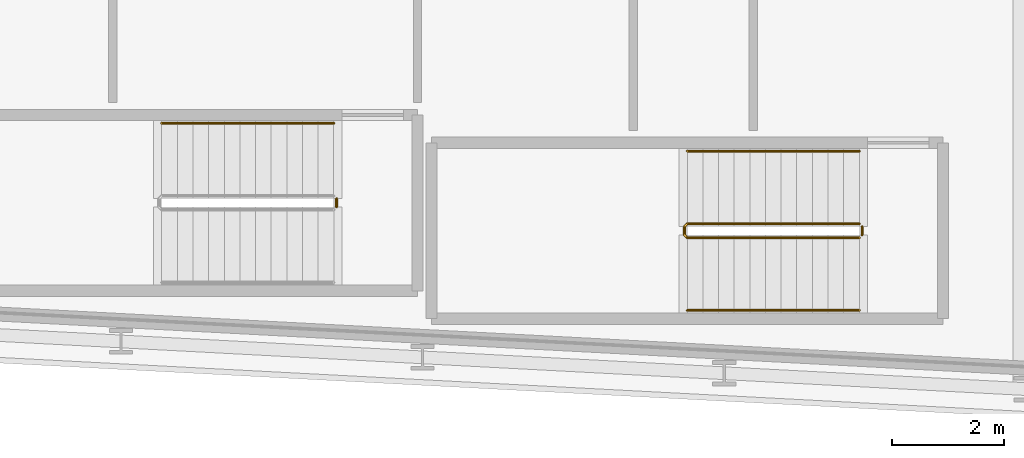
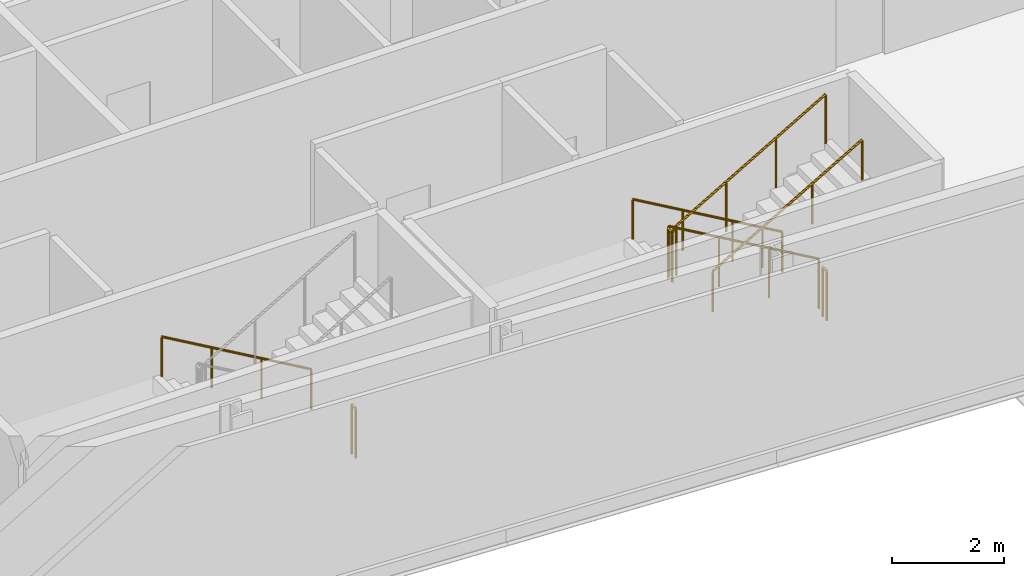
# One storey, part 24 of 27: 6 railings.
"""IFC4 building model written with IfcOpenShell, lengths in metres."""

from ifc_helpers import new_model, si_unit, direction, frame, origin, origin_2d, place, context, subcontext, project, spatial, circle, extrude, material, type_object, element, save


model = new_model("IFC4")

# Units and contexts
model_context = context("Model", 3, precision=1e-05, world=origin(), true_north=direction((0.0, 1.0)))
body_context = subcontext(model_context, "Body", "Model", "MODEL_VIEW")
ifc_project = project(units=[si_unit("LENGTHUNIT", "METRE"), si_unit("AREAUNIT", "SQUARE_METRE"), si_unit("VOLUMEUNIT", "CUBIC_METRE"), si_unit("PLANEANGLEUNIT", "RADIAN"), si_unit("MASSUNIT", "GRAM", prefix="KILO")], contexts=[model_context])

# Site, building, storey
site_placement = place(None, origin())
site = spatial("IfcSite", under=ifc_project, at=site_placement, CompositionType="ELEMENT")
building_placement = place(site_placement, origin())
building = spatial("IfcBuilding", under=site, at=building_placement, Name="Kheshtan School and Residences Tower", CompositionType="ELEMENT")
storey_placement = place(building_placement, frame((0.0, 0.0, 101.89990234375)))
storey = spatial("IfcBuildingStorey", under=building, at=storey_placement, Name="L23", CompositionType="ELEMENT", Elevation=101.89990234375)

# Railings
ifc_material_1 = material(Name="Stainless steel balustrade", Category="steel")
railing_type_1 = type_object("IfcRailingType", Name="Stair guard 1100", PredefinedType="GUARDRAIL", material=ifc_material_1)
railing_1_placement = place(storey_placement, frame((87.820068359375, 23.949951171875, 0.16259765625)))
element("IfcRailing", 1, at=railing_1_placement, inside=storey, type_object=railing_type_1, Name="L23 ST4 stair guard 1", PredefinedType="GUARDRAIL", context=body_context, shape_type="SweptSolid", body=[
    extrude(circle(Radius=0.02392578125, at=origin_2d()), frame((0.0, 0.0, 1.076171875), z_axis=(-0.864890721111, 0.0, 0.501960198159), x_axis=(0.0, -1.0, 0.0)), (0.0, 0.0, 1.0), 3.561279296875),
    extrude(circle(Radius=0.02392578125, at=origin_2d()), frame((-3.080078125, 0.0, 2.86376953125), z_axis=(-0.707106781187, -0.707106781187, 0.0), x_axis=(0.707106781187, -0.707106781187, 0.0)), (0.0, 0.0, 1.0), 0.07080078125),
    extrude(circle(Radius=0.02392578125, at=origin_2d()), frame((-3.130126953125, -0.050048828125, 2.86376953125), z_axis=(0.0, -1.0, 0.0), x_axis=(1.0, 0.0, 0.0)), (0.0, 0.0, 1.0), 0.14990234375),
    extrude(circle(Radius=0.02392578125, at=origin_2d()), frame((-3.130126953125, -0.199951171875, 2.86376953125), z_axis=(0.282583949758, -0.282583949758, 0.916674763849), x_axis=(0.707106781187, 0.707106781187, 0.0)), (0.0, 0.0, 1.0), 0.177001953125),
    extrude(circle(Radius=0.02392578125, at=origin_2d()), frame((-3.080078125, -0.25, 3.02587890625), z_axis=(0.864890721111, 0.0, 0.501960198159), x_axis=(0.0, 1.0, 0.0)), (0.0, 0.0, 1.0), 3.561279296875),
    extrude(circle(Radius=0.02099609375, at=origin_2d()), origin(), (0.0, 0.0, 1.0), 1.052001953125),
    extrude(circle(Radius=0.02099609375, at=origin_2d()), frame((-1.026611328125, 0.0, 0.595947265625)), (0.0, 0.0, 1.0), 1.052001953125),
    extrude(circle(Radius=0.02099609375, at=origin_2d()), frame((-2.053466796875, 0.0, 1.191650390625)), (0.0, 0.0, 1.0), 1.052001953125),
    extrude(circle(Radius=0.02099609375, at=origin_2d()), frame((-3.080078125, 0.0, 1.78759765625)), (0.0, 0.0, 1.0), 1.052001953125),
    extrude(circle(Radius=0.02099609375, at=origin_2d()), frame((-3.130126953125, -0.050048828125, 1.78759765625)), (0.0, 0.0, 1.0), 1.052001953125),
    extrude(circle(Radius=0.02099609375, at=origin_2d()), frame((-3.130126953125, -0.199951171875, 1.78759765625)), (0.0, 0.0, 1.0), 1.052001953125),
    extrude(circle(Radius=0.02099609375, at=origin_2d()), frame((-3.080078125, -0.25, 1.949951171875)), (0.0, 0.0, 1.0), 1.052001953125),
    extrude(circle(Radius=0.02099609375, at=origin_2d()), frame((-2.053466796875, -0.25, 2.5458984375)), (0.0, 0.0, 1.0), 1.052001953125),
    extrude(circle(Radius=0.02099609375, at=origin_2d()), frame((-1.026611328125, -0.25, 3.1416015625)), (0.0, 0.0, 1.0), 1.052001953125),
    extrude(circle(Radius=0.02099609375, at=origin_2d()), frame((0.0, -0.25, 3.737548828125)), (0.0, 0.0, 1.0), 1.052001953125),
])
for number, where, name in (
    (2, (87.8701171875, 23.89990234375, 0.0), "L23 ST4 stair guard 2"),
    (3, (78.4599609375, 24.39990234375, 0.0), "L23 ST5 stair guard 2"),
):
    element("IfcRailing", number, at=place(storey_placement, frame(where)), inside=storey, type_object=railing_type_1, Name=name, PredefinedType="GUARDRAIL", context=body_context, shape_type="SweptSolid", body=[
        extrude(circle(Radius=0.02392578125, at=origin_2d()), frame((0.0, 0.0, 1.076171875), z_axis=(0.0, -1.0, 0.0), x_axis=(1.0, 0.0, 0.0)), (0.0, 0.0, 1.0), 0.14990234375),
        extrude(circle(Radius=0.02099609375, at=origin_2d()), origin(), (0.0, 0.0, 1.0), 1.052001953125),
        extrude(circle(Radius=0.02099609375, at=origin_2d()), frame((0.0, -0.14990234375, 0.0)), (0.0, 0.0, 1.0), 1.052001953125),
    ])
ifc_material_2 = material(Name="Stainless steel handrail", Category="steel")
railing_type_2 = type_object("IfcRailingType", Name="Stair handrail 900", PredefinedType="HANDRAIL", material=ifc_material_2)
railing_2_placement = place(storey_placement, frame((87.820068359375, 25.25, 0.16259765625)))
element("IfcRailing", 4, at=railing_2_placement, inside=storey, type_object=railing_type_2, Name="L23 ST4 stair handrail 1", PredefinedType="HANDRAIL", context=body_context, shape_type="SweptSolid", body=[
    extrude(circle(Radius=0.02392578125, at=origin_2d()), frame((0.0, 0.0, 0.8759765625), z_axis=(-0.864890721111, 0.0, 0.501960198159), x_axis=(0.0, -1.0, 0.0)), (0.0, 0.0, 1.0), 3.561279296875),
    extrude(circle(Radius=0.02099609375, at=origin_2d()), origin(), (0.0, 0.0, 1.0), 0.851806640625),
    extrude(circle(Radius=0.02099609375, at=origin_2d()), frame((-1.026611328125, 0.0, 0.595947265625)), (0.0, 0.0, 1.0), 0.851806640625),
    extrude(circle(Radius=0.02099609375, at=origin_2d()), frame((-2.053466796875, 0.0, 1.191650390625)), (0.0, 0.0, 1.0), 0.851806640625),
    extrude(circle(Radius=0.02099609375, at=origin_2d()), frame((-3.080078125, 0.0, 1.78759765625)), (0.0, 0.0, 1.0), 0.851806640625),
])
railing_3_placement = place(storey_placement, frame((84.739990234375, 22.39990234375, 2.112548828125)))
element("IfcRailing", 5, at=railing_3_placement, inside=storey, type_object=railing_type_2, Name="L23 ST4 stair handrail 2", PredefinedType="HANDRAIL", context=body_context, shape_type="SweptSolid", body=[
    extrude(circle(Radius=0.02392578125, at=origin_2d()), frame((0.0, 0.0, 0.8759765625), z_axis=(0.864890721111, 0.0, 0.501960198159), x_axis=(0.0, 1.0, 0.0)), (0.0, 0.0, 1.0), 3.561279296875),
    extrude(circle(Radius=0.02099609375, at=origin_2d()), origin(), (0.0, 0.0, 1.0), 0.851806640625),
    extrude(circle(Radius=0.02099609375, at=origin_2d()), frame((1.026611328125, 0.0, 0.595947265625)), (0.0, 0.0, 1.0), 0.851806640625),
    extrude(circle(Radius=0.02099609375, at=origin_2d()), frame((2.053466796875, 0.0, 1.191650390625)), (0.0, 0.0, 1.0), 0.851806640625),
    extrude(circle(Radius=0.02099609375, at=origin_2d()), frame((3.080078125, 0.0, 1.78759765625)), (0.0, 0.0, 1.0), 0.851806640625),
])
railing_4_placement = place(storey_placement, frame((78.409912109375, 25.75, 0.16259765625)))
element("IfcRailing", 6, at=railing_4_placement, inside=storey, type_object=railing_type_2, Name="L23 ST5 stair handrail 1", PredefinedType="HANDRAIL", context=body_context, shape_type="SweptSolid", body=[
    extrude(circle(Radius=0.02392578125, at=origin_2d()), frame((0.0, 0.0, 0.8759765625), z_axis=(-0.864873446163, 0.0, 0.501989962173), x_axis=(0.0, -1.0, 0.0)), (0.0, 0.0, 1.0), 3.56103515625),
    extrude(circle(Radius=0.02099609375, at=origin_2d()), origin(), (0.0, 0.0, 1.0), 0.851806640625),
    extrude(circle(Radius=0.02099609375, at=origin_2d()), frame((-1.026611328125, 0.0, 0.595947265625)), (0.0, 0.0, 1.0), 0.851806640625),
    extrude(circle(Radius=0.02099609375, at=origin_2d()), frame((-2.05322265625, 0.0, 1.191650390625)), (0.0, 0.0, 1.0), 0.851806640625),
    extrude(circle(Radius=0.02099609375, at=origin_2d()), frame((-3.079833984375, 0.0, 1.78759765625)), (0.0, 0.0, 1.0), 0.851806640625),
])

save(model, "model.ifc")
